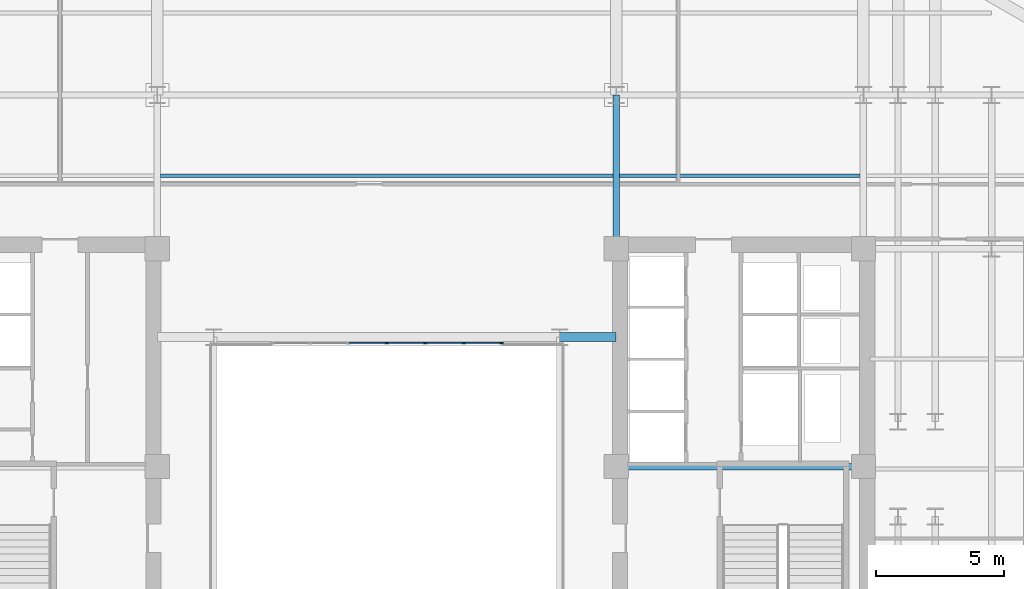
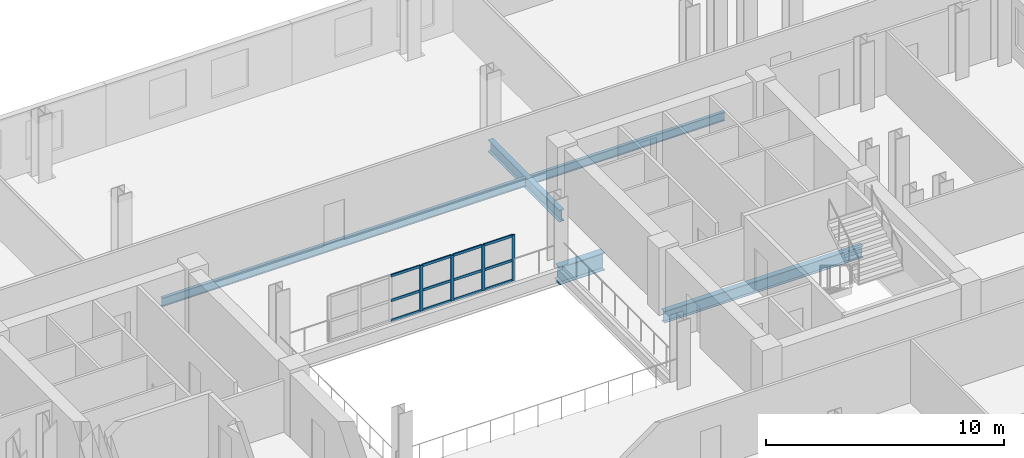
# One storey, part 4 of 12: 16 members, 5 beams, 1 element without a shape of its own.
"""IFC4 building model written with IfcOpenShell, lengths in metres."""

from ifc_helpers import new_model, si_unit, direction, frame, origin, origin_2d, place, context, subcontext, project, spatial, rectangle, i_section, extrude, material, layer, layer_set, material_profile, profile_set, type_object, element, aggregate, save


model = new_model("IFC4")

# Units and contexts
model_context = context("Model", 3, precision=1e-05, world=origin(), true_north=direction((0.0, 1.0)))
body_context = subcontext(model_context, "Body", "Model", "MODEL_VIEW")
ifc_project = project(units=[si_unit("LENGTHUNIT", "METRE"), si_unit("AREAUNIT", "SQUARE_METRE"), si_unit("VOLUMEUNIT", "CUBIC_METRE"), si_unit("PLANEANGLEUNIT", "RADIAN"), si_unit("MASSUNIT", "GRAM", prefix="KILO")], contexts=[model_context])

# Site, building, storey
site_placement = place(None, origin())
site = spatial("IfcSite", under=ifc_project, at=site_placement, CompositionType="ELEMENT")
building_placement = place(site_placement, origin())
building = spatial("IfcBuilding", under=site, at=building_placement, Name="Velakula Bourse", CompositionType="ELEMENT")
storey_placement = place(building_placement, frame((0.0, 0.0, 120.85009765625)))
storey = spatial("IfcBuildingStorey", under=building, at=storey_placement, Name="L32", CompositionType="ELEMENT", Elevation=120.85009765625)

# Beams
ifc_material_1 = material(Name="Steel IS 2062 Grade 350 (E350)", Category="steel")
ifc_material_profile_1 = material_profile(ifc_material_1, i_section(OverallWidth=0.25, OverallDepth=0.60009765625, WebThickness=0.01123046875, FlangeThickness=0.021240234375, at=origin_2d()), Name="Steel IS 2062 Grade 350 (E350)")
ifc_profile_set_1 = profile_set([ifc_material_profile_1], Name="Steel IS 2062 Grade 350 (E350)")
beam_type_1 = type_object("IfcBeamType", Name="BM-GRD-600M", PredefinedType="BEAM", material=ifc_profile_set_1)
beam_1_placement = place(storey_placement, frame((8.949951171875, 0.10009765625, -0.47998046875), z_axis=(1.0, 0.0, 0.0), x_axis=(0.0, 1.0, 0.0)))
element("IfcBeam", 1, at=beam_1_placement, inside=storey, type_object=beam_type_1, Name="L32 Primary Backbone Girder CRE-M", PredefinedType="BEAM", context=body_context, shape_type="SweptSolid", body=[
    extrude(i_section(OverallWidth=0.25, OverallDepth=0.60009765625, WebThickness=0.01123046875, FlangeThickness=0.021240234375, at=origin_2d()), origin(), (0.0, 0.0, 1.0), 9.650146484375),
])
beam_2_placement = place(storey_placement, frame((8.949951171875, 8.60009765625, -0.47998046875), z_axis=(0.0, 1.0, 0.0), x_axis=(-1.0, 0.0, 0.0)))
element("IfcBeam", 2, at=beam_2_placement, inside=storey, type_object=beam_type_1, Name="L32 Fulcrum Grid Girder FLC-ECN", PredefinedType="BEAM", context=body_context, shape_type="SweptSolid", body=[
    extrude(i_section(OverallWidth=0.25, OverallDepth=0.60009765625, WebThickness=0.01123046875, FlangeThickness=0.021240234375, at=origin_2d()), origin(), (0.0, 0.0, 1.0), 6.0),
])
ifc_material_profile_2 = material_profile(ifc_material_1, i_section(OverallWidth=0.35009765625, OverallDepth=0.89990234375, WebThickness=0.02001953125, FlangeThickness=0.031982421875, at=origin_2d()), Name="Steel IS 2062 Grade 350 (E350)")
ifc_profile_set_2 = profile_set([ifc_material_profile_2], Name="Steel IS 2062 Grade 350 (E350)")
beam_type_2 = type_object("IfcBeamType", Name="BM-LNK-900", PredefinedType="BEAM", material=ifc_profile_set_2)
beam_3_placement = place(storey_placement, frame((6.75, 5.14990234375, -0.630126953125), z_axis=(1.0, 0.0, 0.0), x_axis=(0.0, 1.0, 0.0)))
element("IfcBeam", 3, at=beam_3_placement, inside=storey, type_object=beam_type_2, Name="L32 Primary Backbone Girder LNK-N3", PredefinedType="BEAM", context=body_context, shape_type="SweptSolid", body=[
    extrude(i_section(OverallWidth=0.35009765625, OverallDepth=0.89990234375, WebThickness=0.02001953125, FlangeThickness=0.031982421875, at=origin_2d()), origin(), (0.0, 0.0, 1.0), 2.199951171875),
])
ifc_material_profile_3 = material_profile(ifc_material_1, i_section(OverallWidth=0.14990234375, OverallDepth=0.449951171875, WebThickness=0.009521484375, FlangeThickness=0.017333984375, at=origin_2d()), Name="Steel IS 2062 Grade 350 (E350)")
ifc_profile_set_3 = profile_set([ifc_material_profile_3], Name="Steel IS 2062 Grade 350 (E350)")
beam_type_3 = type_object("IfcBeamType", Name="JST-TWR-450", PredefinedType="JOIST", material=ifc_profile_set_3)
beam_4_placement = place(storey_placement, frame((-8.824951171875, 11.449951171875, -0.405029296875), z_axis=(1.0, 0.0, 0.0), x_axis=(0.0, 1.0, 0.0)))
element("IfcBeam", 4, at=beam_4_placement, inside=storey, type_object=beam_type_3, Name="L32 Trading Floor Composite Joist 13", PredefinedType="JOIST", context=body_context, shape_type="SweptSolid", body=[
    extrude(i_section(OverallWidth=0.14990234375, OverallDepth=0.449951171875, WebThickness=0.009521484375, FlangeThickness=0.017333984375, at=origin_2d()), origin(), (0.0, 0.0, 1.0), 17.64990234375),
])
beam_5_placement = place(storey_placement, frame((9.074951171875, 11.449951171875, -0.405029296875), z_axis=(1.0, 0.0, 0.0), x_axis=(0.0, 1.0, 0.0)))
element("IfcBeam", 5, at=beam_5_placement, inside=storey, type_object=beam_type_3, Name="L32 Trading Floor Composite Joist 14", PredefinedType="JOIST", context=body_context, shape_type="SweptSolid", body=[
    extrude(i_section(OverallWidth=0.14990234375, OverallDepth=0.449951171875, WebThickness=0.009521484375, FlangeThickness=0.017333984375, at=origin_2d()), origin(), (0.0, 0.0, 1.0), 9.400146484375),
])

# Curtain wall, members
ifc_material_2 = material(Name="Anodised bronze architectural aluminium", Category="aluminium")
ifc_layer = layer(ifc_material_2, 0.14990234375, Name="Anodised bronze architectural aluminium", Category="aluminium")
ifc_layer_set = layer_set([ifc_layer], Name="Anodised bronze architectural aluminium")
curtain_wall_type = type_object("IfcCurtainWallType", Name="CW-AT1", PredefinedType="NOTDEFINED", material=ifc_layer_set)
curtain_wall_placement = place(storey_placement, origin())
curtain_wall = element("IfcCurtainWall", 6, at=curtain_wall_placement, inside=storey, type_object=curtain_wall_type, Name="L32 Central Trading Atrium Fire-Rated Glazed Screen", PredefinedType="NOTDEFINED")
ifc_material_profile_4 = material_profile(ifc_material_2, rectangle(XDim=0.06005859375, YDim=0.14990234375, at=origin_2d()), Name="Anodised bronze architectural aluminium")
ifc_profile_set_4 = profile_set([ifc_material_profile_4], Name="Anodised bronze architectural aluminium")
member_type_1 = type_object("IfcMemberType", Name="MUL-CW-AT1", PredefinedType="MULLION", material=ifc_profile_set_4)
member_1_placement = place(storey_placement, frame((0.0, 4.919921875, 0.0), z_axis=(0.0, 0.0, 1.0), x_axis=(0.0, 1.0, 0.0)))
member_1 = element("IfcMember", 7, at=member_1_placement, type_object=member_type_1, Name="CW-AT1 mullion 4", PredefinedType="MULLION", context=body_context, shape_type="SweptSolid", body=[
    extrude(rectangle(XDim=0.06005859375, YDim=0.14990234375, at=origin_2d()), origin(), (0.0, 0.0, 1.0), 2.344970703125),
])
member_2_placement = place(storey_placement, frame((1.5, 4.919921875, 0.0), z_axis=(0.0, 0.0, 1.0), x_axis=(0.0, 1.0, 0.0)))
member_2 = element("IfcMember", 8, at=member_2_placement, type_object=member_type_1, Name="CW-AT1 mullion 5", PredefinedType="MULLION", context=body_context, shape_type="SweptSolid", body=[
    extrude(rectangle(XDim=0.06005859375, YDim=0.14990234375, at=origin_2d()), origin(), (0.0, 0.0, 1.0), 2.344970703125),
])
member_3_placement = place(storey_placement, frame((3.0, 4.919921875, 0.0), z_axis=(0.0, 0.0, 1.0), x_axis=(0.0, 1.0, 0.0)))
member_3 = element("IfcMember", 9, at=member_3_placement, type_object=member_type_1, Name="CW-AT1 mullion 6", PredefinedType="MULLION", context=body_context, shape_type="SweptSolid", body=[
    extrude(rectangle(XDim=0.06005859375, YDim=0.14990234375, at=origin_2d()), origin(), (0.0, 0.0, 1.0), 2.344970703125),
])
member_4_placement = place(storey_placement, frame((4.469970703125, 4.919921875, 0.0), z_axis=(0.0, 0.0, 1.0), x_axis=(0.0, 1.0, 0.0)))
member_4 = element("IfcMember", 10, at=member_4_placement, type_object=member_type_1, Name="CW-AT1 mullion 7", PredefinedType="MULLION", context=body_context, shape_type="SweptSolid", body=[
    extrude(rectangle(XDim=0.06005859375, YDim=0.14990234375, at=origin_2d()), origin(), (0.0, 0.0, 1.0), 2.344970703125),
])
ifc_material_profile_5 = material_profile(ifc_material_2, rectangle(XDim=0.06005859375, YDim=0.1298828125, at=origin_2d()), Name="Anodised bronze architectural aluminium")
ifc_profile_set_5 = profile_set([ifc_material_profile_5], Name="Anodised bronze architectural aluminium")
member_type_2 = type_object("IfcMemberType", Name="TRN-CW-AT1", PredefinedType="USERDEFINED", material=ifc_profile_set_5)
member_5_placement = place(storey_placement, frame((-1.469970703125, 4.919921875, 0.02978515625), z_axis=(1.0, 0.0, 0.0), x_axis=(0.0, 1.0, 0.0)))
member_5 = element("IfcMember", 11, at=member_5_placement, type_object=member_type_2, Name="CW-AT1 transom 3.1", ObjectType="TRANSOM", PredefinedType="USERDEFINED", context=body_context, shape_type="SweptSolid", body=[
    extrude(rectangle(XDim=0.06005859375, YDim=0.1298828125, at=origin_2d()), origin(), (0.0, 0.0, 1.0), 1.43994140625),
])
member_6_placement = place(storey_placement, frame((-1.469970703125, 4.919921875, 1.05517578125), z_axis=(1.0, 0.0, 0.0), x_axis=(0.0, 1.0, 0.0)))
member_6 = element("IfcMember", 12, at=member_6_placement, type_object=member_type_2, Name="CW-AT1 transom 3.2", ObjectType="TRANSOM", PredefinedType="USERDEFINED", context=body_context, shape_type="SweptSolid", body=[
    extrude(rectangle(XDim=0.06005859375, YDim=0.1298828125, at=origin_2d()), origin(), (0.0, 0.0, 1.0), 1.43994140625),
])
member_7_placement = place(storey_placement, frame((-1.469970703125, 4.919921875, 2.31494140625), z_axis=(1.0, 0.0, 0.0), x_axis=(0.0, 1.0, 0.0)))
member_7 = element("IfcMember", 13, at=member_7_placement, type_object=member_type_2, Name="CW-AT1 transom 3.3", ObjectType="TRANSOM", PredefinedType="USERDEFINED", context=body_context, shape_type="SweptSolid", body=[
    extrude(rectangle(XDim=0.06005859375, YDim=0.1298828125, at=origin_2d()), origin(), (0.0, 0.0, 1.0), 1.43994140625),
])
member_8_placement = place(storey_placement, frame((0.030029296875, 4.919921875, 0.02978515625), z_axis=(1.0, 0.0, 0.0), x_axis=(0.0, 1.0, 0.0)))
member_8 = element("IfcMember", 14, at=member_8_placement, type_object=member_type_2, Name="CW-AT1 transom 4.1", ObjectType="TRANSOM", PredefinedType="USERDEFINED", context=body_context, shape_type="SweptSolid", body=[
    extrude(rectangle(XDim=0.06005859375, YDim=0.1298828125, at=origin_2d()), origin(), (0.0, 0.0, 1.0), 1.43994140625),
])
member_9_placement = place(storey_placement, frame((0.030029296875, 4.919921875, 1.05517578125), z_axis=(1.0, 0.0, 0.0), x_axis=(0.0, 1.0, 0.0)))
member_9 = element("IfcMember", 15, at=member_9_placement, type_object=member_type_2, Name="CW-AT1 transom 4.2", ObjectType="TRANSOM", PredefinedType="USERDEFINED", context=body_context, shape_type="SweptSolid", body=[
    extrude(rectangle(XDim=0.06005859375, YDim=0.1298828125, at=origin_2d()), origin(), (0.0, 0.0, 1.0), 1.43994140625),
])
member_10_placement = place(storey_placement, frame((0.030029296875, 4.919921875, 2.31494140625), z_axis=(1.0, 0.0, 0.0), x_axis=(0.0, 1.0, 0.0)))
member_10 = element("IfcMember", 16, at=member_10_placement, type_object=member_type_2, Name="CW-AT1 transom 4.3", ObjectType="TRANSOM", PredefinedType="USERDEFINED", context=body_context, shape_type="SweptSolid", body=[
    extrude(rectangle(XDim=0.06005859375, YDim=0.1298828125, at=origin_2d()), origin(), (0.0, 0.0, 1.0), 1.43994140625),
])
member_11_placement = place(storey_placement, frame((1.530029296875, 4.919921875, 0.02978515625), z_axis=(1.0, 0.0, 0.0), x_axis=(0.0, 1.0, 0.0)))
member_11 = element("IfcMember", 17, at=member_11_placement, type_object=member_type_2, Name="CW-AT1 transom 5.1", ObjectType="TRANSOM", PredefinedType="USERDEFINED", context=body_context, shape_type="SweptSolid", body=[
    extrude(rectangle(XDim=0.06005859375, YDim=0.1298828125, at=origin_2d()), origin(), (0.0, 0.0, 1.0), 1.43994140625),
])
member_12_placement = place(storey_placement, frame((1.530029296875, 4.919921875, 1.05517578125), z_axis=(1.0, 0.0, 0.0), x_axis=(0.0, 1.0, 0.0)))
member_12 = element("IfcMember", 18, at=member_12_placement, type_object=member_type_2, Name="CW-AT1 transom 5.2", ObjectType="TRANSOM", PredefinedType="USERDEFINED", context=body_context, shape_type="SweptSolid", body=[
    extrude(rectangle(XDim=0.06005859375, YDim=0.1298828125, at=origin_2d()), origin(), (0.0, 0.0, 1.0), 1.43994140625),
])
member_13_placement = place(storey_placement, frame((1.530029296875, 4.919921875, 2.31494140625), z_axis=(1.0, 0.0, 0.0), x_axis=(0.0, 1.0, 0.0)))
member_13 = element("IfcMember", 19, at=member_13_placement, type_object=member_type_2, Name="CW-AT1 transom 5.3", ObjectType="TRANSOM", PredefinedType="USERDEFINED", context=body_context, shape_type="SweptSolid", body=[
    extrude(rectangle(XDim=0.06005859375, YDim=0.1298828125, at=origin_2d()), origin(), (0.0, 0.0, 1.0), 1.43994140625),
])
member_14_placement = place(storey_placement, frame((3.030029296875, 4.919921875, 0.02978515625), z_axis=(1.0, 0.0, 0.0), x_axis=(0.0, 1.0, 0.0)))
member_14 = element("IfcMember", 20, at=member_14_placement, type_object=member_type_2, Name="CW-AT1 transom 6.1", ObjectType="TRANSOM", PredefinedType="USERDEFINED", context=body_context, shape_type="SweptSolid", body=[
    extrude(rectangle(XDim=0.06005859375, YDim=0.1298828125, at=origin_2d()), origin(), (0.0, 0.0, 1.0), 1.409912109375),
])
member_15_placement = place(storey_placement, frame((3.030029296875, 4.919921875, 1.05517578125), z_axis=(1.0, 0.0, 0.0), x_axis=(0.0, 1.0, 0.0)))
member_15 = element("IfcMember", 21, at=member_15_placement, type_object=member_type_2, Name="CW-AT1 transom 6.2", ObjectType="TRANSOM", PredefinedType="USERDEFINED", context=body_context, shape_type="SweptSolid", body=[
    extrude(rectangle(XDim=0.06005859375, YDim=0.1298828125, at=origin_2d()), origin(), (0.0, 0.0, 1.0), 1.409912109375),
])
member_16_placement = place(storey_placement, frame((3.030029296875, 4.919921875, 2.31494140625), z_axis=(1.0, 0.0, 0.0), x_axis=(0.0, 1.0, 0.0)))
member_16 = element("IfcMember", 22, at=member_16_placement, type_object=member_type_2, Name="CW-AT1 transom 6.3", ObjectType="TRANSOM", PredefinedType="USERDEFINED", context=body_context, shape_type="SweptSolid", body=[
    extrude(rectangle(XDim=0.06005859375, YDim=0.1298828125, at=origin_2d()), origin(), (0.0, 0.0, 1.0), 1.409912109375),
])
aggregate(curtain_wall, [member_1, member_2, member_3, member_4, member_5, member_6, member_7, member_8, member_9, member_10, member_11, member_12, member_13, member_14, member_15, member_16])

save(model, "model.ifc")
